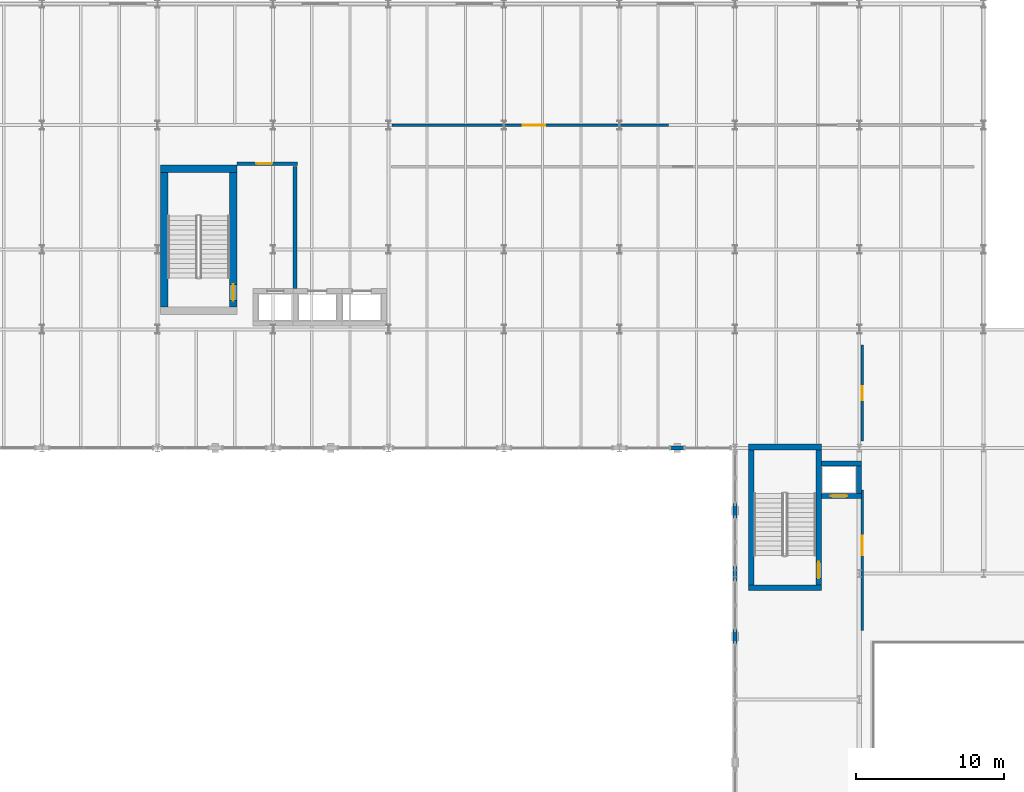
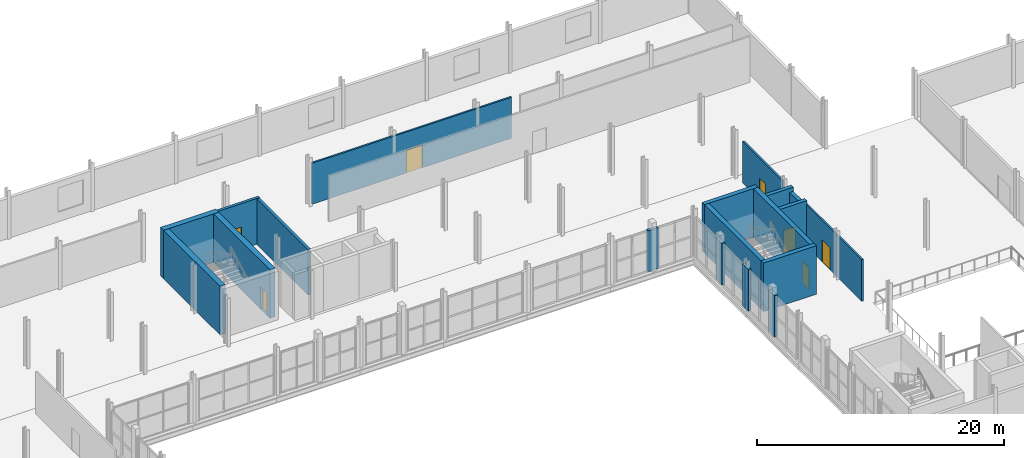
# One storey, part 52 of 63: 19 walls, 7 doors, 7 openings.
"""IFC4 building model written with IfcOpenShell, lengths in metres."""

from ifc_helpers import new_model, si_unit, direction, frame, frame_2d, origin, place, context, subcontext, project, spatial, rectangle, extrude, material, layer, layer_set, type_object, element, fill, save


model = new_model("IFC4")

# Units and contexts
model_context = context("Model", 3, precision=1e-05, world=origin(), true_north=direction((0.0, 1.0)))
body_context = subcontext(model_context, "Body", "Model", "MODEL_VIEW")
ifc_project = project(units=[si_unit("LENGTHUNIT", "METRE"), si_unit("AREAUNIT", "SQUARE_METRE"), si_unit("VOLUMEUNIT", "CUBIC_METRE"), si_unit("PLANEANGLEUNIT", "RADIAN"), si_unit("MASSUNIT", "GRAM", prefix="KILO")], contexts=[model_context])

# Site, building, storey
site_placement = place(None, origin())
site = spatial("IfcSite", under=ifc_project, at=site_placement, CompositionType="ELEMENT")
building_placement = place(site_placement, origin())
building = spatial("IfcBuilding", under=site, at=building_placement, Name="Sefraquen Railside Congress Hotel", CompositionType="ELEMENT")
storey_placement = place(building_placement, frame((0.0, 0.0, 11.39990234375)))
storey = spatial("IfcBuildingStorey", under=building, at=storey_placement, Name="L02", CompositionType="ELEMENT", Elevation=11.39990234375)

# Wall
ifc_material_1 = material(Name="Concrete C50/60", Category="concrete")
ifc_layer_1 = layer(ifc_material_1, 0.35009765625)
ifc_layer_set_1 = layer_set([ifc_layer_1], Name="Concrete C50/60")
wall_type_1 = type_object("IfcWallType", Name="TW-CW-350", PredefinedType="SHEAR", material=ifc_layer_set_1)
wall_1_placement = place(storey_placement, frame((109.06005859375, 86.945068359375, 0.0), z_axis=(0.0, 0.0, 1.0), x_axis=(1.0, 0.0, 0.0)))
element("IfcWall", 1, at=wall_1_placement, inside=storey, type_object=wall_type_1, Name="Lift PL-07 shaft wall N L02", PredefinedType="SHEAR", context=body_context, shape_type="SweptSolid", body=[
    extrude(rectangle(XDim=2.68994140625, YDim=0.35009765625, at=frame_2d((1.344970703125, 0.0))), origin(), (0.0, 0.0, 1.0), 4.52001953125),
])

# Wall, opening, door
wall_2_placement = place(storey_placement, frame((109.06005859375, 84.7548828125, 0.0), z_axis=(0.0, 0.0, 1.0), x_axis=(1.0, 0.0, 0.0)))
wall_2 = element("IfcWall", 2, at=wall_2_placement, inside=storey, type_object=wall_type_1, Name="Lift PL-07 shaft wall S L02", PredefinedType="SHEAR", context=body_context, shape_type="SweptSolid", body=[
    extrude(rectangle(XDim=2.68994140625, YDim=0.35009765625, at=frame_2d((1.344970703125, 0.0))), origin(), (0.0, 0.0, 1.0), 4.52001953125),
])
opening_1_placement = place(wall_2_placement, frame((0.6201171875, 0.0, 0.0)))
opening_1 = element("IfcOpeningElement", 3, at=opening_1_placement, cuts=wall_2, Name="Opening LD-01", PredefinedType="OPENING", context=body_context, shape_type="SweptSolid", body=[
    extrude(rectangle(XDim=1.10009765625, YDim=2.199951171875, at=frame_2d((0.550048828125, 1.10009765625))), frame((0.0, 0.18505859375, 0.0), z_axis=(0.0, -1.0, 0.0), x_axis=(1.0, 0.0, 0.0)), (0.0, 0.0, 1.0), 0.3701171875),
])
ifc_material_2 = material(Name="Brushed bronze stainless steel", Category="steel")
door_type_1 = type_object("IfcDoorType", Name="TD-LD-01", OperationType="NOTDEFINED", PredefinedType="DOOR", material=ifc_material_2)
door_1_placement = place(opening_1_placement, origin())
door_1 = element("IfcDoor", 4, at=door_1_placement, inside=storey, type_object=door_type_1, Name="Lift landing door PL-07 L02", OperationType="SLIDING_TO_LEFT", OverallHeight=2.199951171875, OverallWidth=1.10009765625, PredefinedType="DOOR", context=body_context, shape_type="SweptSolid", body=[
    extrude(rectangle(XDim=1.10009765625, YDim=2.199951171875, at=frame_2d((0.550048828125, 1.10009765625))), frame((0.0, 0.02490234375, 0.0), z_axis=(0.0, -1.0, 0.0), x_axis=(1.0, 0.0, 0.0)), (0.0, 0.0, 1.0), 0.050048828125),
])
fill(opening_1, door_1)

# Walls
wall_3_placement = place(storey_placement, frame((111.574951171875, 84.929931640625, 0.0), z_axis=(0.0, 0.0, 1.0), x_axis=(0.0, 1.0, 0.0)))
element("IfcWall", 5, at=wall_3_placement, inside=storey, type_object=wall_type_1, Name="Lift PL-07 shaft wall E L02", PredefinedType="SHEAR", context=body_context, shape_type="SweptSolid", body=[
    extrude(rectangle(XDim=1.840087890625, YDim=0.35009765625, at=frame_2d((0.919921875, 0.0))), origin(), (0.0, 0.0, 1.0), 4.110107421875),
])
ifc_layer_2 = layer(ifc_material_1, 0.39990234375)
ifc_layer_set_2 = layer_set([ifc_layer_2], Name="Concrete C50/60")
wall_type_2 = type_object("IfcWallType", Name="TW-CW-400", PredefinedType="SHEAR", material=ifc_layer_set_2)
for number, where, z_axis, x_axis, name in (
    (6, (104.10009765625, 88.06201171875, 0.0), (0.0, 0.0, 1.0), (1.0, 0.0, 0.0), "Core shear wall ST-M01 N L02"),
    (7, (104.10009765625, 78.550048828125, 0.0), (0.0, 0.0, 1.0), (1.0, 0.0, 0.0), "Core shear wall ST-M01 S L02"),
):
    element("IfcWall", number, at=place(storey_placement, frame(where, z_axis=z_axis, x_axis=x_axis)), inside=storey, type_object=wall_type_2, Name=name, PredefinedType="SHEAR", context=body_context, shape_type="SweptSolid", body=[
        extrude(rectangle(XDim=4.9599609375, YDim=0.39990234375, at=frame_2d((2.47998046875, 0.0))), origin(), (0.0, 0.0, 1.0), 4.800048828125),
    ])
wall_4_placement = place(storey_placement, frame((104.300048828125, 78.75, 0.0), z_axis=(0.0, 0.0, 1.0), x_axis=(0.0, 1.0, 0.0)))
element("IfcWall", 8, at=wall_4_placement, inside=storey, type_object=wall_type_2, Name="Core shear wall ST-M01 W L02", PredefinedType="SHEAR", context=body_context, shape_type="SweptSolid", body=[
    extrude(rectangle(XDim=9.112060546875, YDim=0.39990234375, at=frame_2d((4.55615234375, 0.0))), origin(), (0.0, 0.0, 1.0), 4.800048828125),
])

# Wall, opening, door
wall_5_placement = place(storey_placement, frame((108.860107421875, 78.75, 0.0), z_axis=(0.0, 0.0, 1.0), x_axis=(0.0, 1.0, 0.0)))
wall_5 = element("IfcWall", 9, at=wall_5_placement, inside=storey, type_object=wall_type_2, Name="Core shear wall ST-M01 E L02", PredefinedType="SHEAR", context=body_context, shape_type="SweptSolid", body=[
    extrude(rectangle(XDim=9.112060546875, YDim=0.39990234375, at=frame_2d((4.55615234375, 0.0))), origin(), (0.0, 0.0, 1.0), 4.800048828125),
])
opening_2_placement = place(wall_5_placement, frame((0.43994140625, 0.0, 0.0)))
opening_2 = element("IfcOpeningElement", 10, at=opening_2_placement, cuts=wall_5, Name="Opening FD-04", PredefinedType="OPENING", context=body_context, shape_type="SweptSolid", body=[
    extrude(rectangle(XDim=1.10009765625, YDim=2.199951171875, at=frame_2d((0.550048828125, 1.10009765625))), frame((0.0, 0.2099609375, 0.0), z_axis=(0.0, -1.0, 0.0), x_axis=(1.0, 0.0, 0.0)), (0.0, 0.0, 1.0), 0.419921875),
])
ifc_material_3 = material(Name="Fire-rated steel", Category="steel")
door_type_2 = type_object("IfcDoorType", Name="TD-FD-04", OperationType="NOTDEFINED", PredefinedType="DOOR", material=ifc_material_3)
door_2_placement = place(opening_2_placement, origin())
door_2 = element("IfcDoor", 11, at=door_2_placement, inside=storey, type_object=door_type_2, Name="Pressurized stair ST-M01 fire door L02", OperationType="SINGLE_SWING_RIGHT", OverallHeight=2.199951171875, OverallWidth=1.10009765625, PredefinedType="DOOR", context=body_context, shape_type="SweptSolid", body=[
    extrude(rectangle(XDim=1.10009765625, YDim=2.199951171875, at=frame_2d((0.550048828125, 1.10009765625))), frame((0.0, 0.02490234375, 0.0), z_axis=(0.0, -1.0, 0.0), x_axis=(1.0, 0.0, 0.0)), (0.0, 0.0, 1.0), 0.050048828125),
])
fill(opening_2, door_2)

# Walls
ifc_layer_3 = layer(ifc_material_1, 0.5)
ifc_layer_set_3 = layer_set([ifc_layer_3], Name="Concrete C50/60")
wall_type_3 = type_object("IfcWallType", Name="TW-CW-500", PredefinedType="SHEAR", material=ifc_layer_set_3)
wall_6_placement = place(storey_placement, frame((64.39990234375, 106.862060546875, 0.0), z_axis=(0.0, 0.0, 1.0), x_axis=(1.0, 0.0, 0.0)))
element("IfcWall", 12, at=wall_6_placement, inside=storey, type_object=wall_type_3, Name="Core shear wall ST-H03 N L02", PredefinedType="SHEAR", context=body_context, shape_type="SweptSolid", body=[
    extrude(rectangle(XDim=5.16015625, YDim=0.5, at=frame_2d((2.580078125, 0.0))), origin(), (0.0, 0.0, 1.0), 4.800048828125),
])
wall_7_placement = place(storey_placement, frame((64.64990234375, 97.5, 0.0), z_axis=(0.0, 0.0, 1.0), x_axis=(0.0, 1.0, 0.0)))
element("IfcWall", 13, at=wall_7_placement, inside=storey, type_object=wall_type_3, Name="Core shear wall ST-H03 W L02", PredefinedType="SHEAR", context=body_context, shape_type="SweptSolid", body=[
    extrude(rectangle(XDim=9.112060546875, YDim=0.5, at=frame_2d((4.55615234375, 0.0))), origin(), (0.0, 0.0, 1.0), 4.800048828125),
])

# Wall, opening, door
wall_8_placement = place(storey_placement, frame((69.31005859375, 97.5, 0.0), z_axis=(0.0, 0.0, 1.0), x_axis=(0.0, 1.0, 0.0)))
wall_8 = element("IfcWall", 14, at=wall_8_placement, inside=storey, type_object=wall_type_3, Name="Core shear wall ST-H03 E L02", PredefinedType="SHEAR", context=body_context, shape_type="SweptSolid", body=[
    extrude(rectangle(XDim=9.112060546875, YDim=0.5, at=frame_2d((4.55615234375, 0.0))), origin(), (0.0, 0.0, 1.0), 4.800048828125),
])
opening_3_placement = place(wall_8_placement, frame((0.43994140625, 0.0, 0.0)))
opening_3 = element("IfcOpeningElement", 15, at=opening_3_placement, cuts=wall_8, Name="Opening FD-04", PredefinedType="OPENING", context=body_context, shape_type="SweptSolid", body=[
    extrude(rectangle(XDim=1.10009765625, YDim=2.199951171875, at=frame_2d((0.550048828125, 1.10009765625))), frame((0.0, 0.260009765625, 0.0), z_axis=(0.0, -1.0, 0.0), x_axis=(1.0, 0.0, 0.0)), (0.0, 0.0, 1.0), 0.52001953125),
])
door_3_placement = place(opening_3_placement, origin())
door_3 = element("IfcDoor", 16, at=door_3_placement, inside=storey, type_object=door_type_2, Name="Pressurized stair ST-H03 fire door L02", OperationType="SINGLE_SWING_RIGHT", OverallHeight=2.199951171875, OverallWidth=1.10009765625, PredefinedType="DOOR", context=body_context, shape_type="SweptSolid", body=[
    extrude(rectangle(XDim=1.10009765625, YDim=2.199951171875, at=frame_2d((0.550048828125, 1.10009765625))), frame((0.0, 0.02490234375, 0.0), z_axis=(0.0, -1.0, 0.0), x_axis=(1.0, 0.0, 0.0)), (0.0, 0.0, 1.0), 0.050048828125),
])
fill(opening_3, door_3)

# Walls
ifc_material_4 = material(Name="Ochre Rabat calcarenite limestone and Concrete C40/50 backing", Category="masonry")
ifc_layer_4 = layer(ifc_material_4, 0.280029296875)
ifc_layer_set_4 = layer_set([ifc_layer_4], Name="Ochre Rabat calcarenite limestone and Concrete C40/50 backing")
wall_type_4 = type_object("IfcWallType", Name="TW-EW-280", PredefinedType="STANDARD", material=ifc_layer_set_4)
wall_9_placement = place(storey_placement, frame((98.820068359375, 88.0, 0.0), z_axis=(0.0, 0.0, 1.0), x_axis=(1.0, 0.0, 0.0)))
element("IfcWall", 17, at=wall_9_placement, inside=storey, type_object=wall_type_4, Name="Courtyard north gallery curtain wall L02-3 column pier closure 3", PredefinedType="STANDARD", context=body_context, shape_type="SweptSolid", body=[
    extrude(rectangle(XDim=0.9599609375, YDim=0.260009765625, at=frame_2d((0.47998046875, 0.0))), origin(), (0.0, 0.0, 1.0), 4.06005859375),
])
for number, where, z_axis, x_axis, name in (
    (18, (103.199951171875, 74.77001953125, 0.0), (0.0, 0.0, 1.0), (0.0, 1.0, 0.0), "Courtyard east gallery curtain wall L02 column pier closure 1"),
    (19, (103.199951171875, 79.02001953125, 0.0), (0.0, 0.0, 1.0), (0.0, 1.0, 0.0), "Courtyard east gallery curtain wall L02 column pier closure 2"),
    (20, (103.199951171875, 83.27001953125, 0.0), (0.0, 0.0, 1.0), (0.0, 1.0, 0.0), "Courtyard east gallery curtain wall L02 column pier closure 3"),
):
    element("IfcWall", number, at=place(storey_placement, frame(where, z_axis=z_axis, x_axis=x_axis)), inside=storey, type_object=wall_type_4, Name=name, PredefinedType="STANDARD", context=body_context, shape_type="SweptSolid", body=[
        extrude(rectangle(XDim=0.9599609375, YDim=0.260009765625, at=frame_2d((0.47998046875, 0.0))), origin(), (0.0, 0.0, 1.0), 4.110107421875),
    ])
ifc_material_5 = material(Name="Concrete C40/50", Category="concrete")
ifc_layer_5 = layer(ifc_material_5, 0.239990234375)
ifc_layer_set_5 = layer_set([ifc_layer_5], Name="Concrete C40/50")
wall_type_5 = type_object("IfcWallType", Name="TW-FW-240", PredefinedType="STANDARD", material=ifc_layer_set_5)
wall_10_placement = place(storey_placement, frame((73.47998046875, 98.780029296875, 0.0), z_axis=(0.0, 0.0, 1.0), x_axis=(0.0, 1.0, 0.0)))
element("IfcWall", 21, at=wall_10_placement, inside=storey, type_object=wall_type_5, Name="Firefighting Lift Lobby FFL-03 east fire wall L02", PredefinedType="STANDARD", context=body_context, shape_type="SweptSolid", body=[
    extrude(rectangle(XDim=8.239990234375, YDim=0.239990234375, at=frame_2d((4.1201171875, 0.0))), origin(), (0.0, 0.0, 1.0), 4.52001953125),
])

# Wall, opening, door
wall_11_placement = place(storey_placement, frame((69.56005859375, 107.199951171875, 0.0), z_axis=(0.0, 0.0, 1.0), x_axis=(1.0, 0.0, 0.0)))
wall_11 = element("IfcWall", 22, at=wall_11_placement, inside=storey, type_object=wall_type_5, Name="Firefighting Lift Lobby FFL-03 EI 120 separation wall L02", PredefinedType="STANDARD", context=body_context, shape_type="SweptSolid", body=[
    extrude(rectangle(XDim=4.099853515625, YDim=0.239990234375, at=frame_2d((2.0498046875, 0.0))), origin(), (0.0, 0.0, 1.0), 4.52001953125),
])
opening_4_placement = place(wall_11_placement, frame((1.300048828125, 0.0, 0.0)))
opening_4 = element("IfcOpeningElement", 23, at=opening_4_placement, cuts=wall_11, Name="Opening FD-04", PredefinedType="OPENING", context=body_context, shape_type="SweptSolid", body=[
    extrude(rectangle(XDim=1.10009765625, YDim=2.199951171875, at=frame_2d((0.550048828125, 1.10009765625))), frame((0.0, 0.1298828125, 0.0), z_axis=(0.0, -1.0, 0.0), x_axis=(1.0, 0.0, 0.0)), (0.0, 0.0, 1.0), 0.260009765625),
])
door_4_placement = place(opening_4_placement, origin())
door_4 = element("IfcDoor", 24, at=door_4_placement, inside=storey, type_object=door_type_2, Name="Firefighting Lift Lobby FFL-03 self-closing fire door L02", OperationType="SINGLE_SWING_RIGHT", OverallHeight=2.199951171875, OverallWidth=1.10009765625, PredefinedType="DOOR", context=body_context, shape_type="SweptSolid", body=[
    extrude(rectangle(XDim=1.10009765625, YDim=2.199951171875, at=frame_2d((0.550048828125, 1.10009765625))), frame((0.0, 0.02490234375, 0.0), z_axis=(0.0, -1.0, 0.0), x_axis=(1.0, 0.0, 0.0)), (0.0, 0.0, 1.0), 0.050048828125),
])
fill(opening_4, door_4)

ifc_material_6 = material(Name="Moisture-resistant gypsum board", Category="gypsum")
ifc_layer_6 = layer(ifc_material_6, 0.159912109375)
ifc_layer_set_6 = layer_set([ifc_layer_6], Name="Moisture-resistant gypsum board")
wall_type_6 = type_object("IfcWallType", Name="TW-PW-160", PredefinedType="PARTITIONING", material=ifc_layer_set_6)
wall_12_placement = place(storey_placement, frame((111.800048828125, 75.64990234375, 0.0), z_axis=(0.0, 0.0, 1.0), x_axis=(0.0, 1.0, 0.0)))
wall_12 = element("IfcWall", 25, at=wall_12_placement, inside=storey, type_object=wall_type_6, Name="Seminar Suite 05 enclosure wall", PredefinedType="PARTITIONING", context=body_context, shape_type="SweptSolid", body=[
    extrude(rectangle(XDim=9.5, YDim=0.159912109375, at=frame_2d((4.75, 0.0))), origin(), (0.0, 0.0, 1.0), 4.110107421875),
])
opening_5_placement = place(wall_12_placement, frame((5.10009765625, 0.0, 0.0)))
opening_5 = element("IfcOpeningElement", 26, at=opening_5_placement, cuts=wall_12, Name="Opening MD-02", PredefinedType="OPENING", context=body_context, shape_type="SweptSolid", body=[
    extrude(rectangle(XDim=1.300048828125, YDim=2.199951171875, at=frame_2d((0.64990234375, 1.10009765625))), frame((0.0, 0.08984375, 0.0), z_axis=(0.0, -1.0, 0.0), x_axis=(1.0, 0.0, 0.0)), (0.0, 0.0, 1.0), 0.179931640625),
])
ifc_material_7 = material(Name="Acoustic cedar veneer", Category="wood")
door_type_3 = type_object("IfcDoorType", Name="TD-MD-02", OperationType="NOTDEFINED", PredefinedType="DOOR", material=ifc_material_7)
door_5_placement = place(opening_5_placement, origin())
door_5 = element("IfcDoor", 27, at=door_5_placement, inside=storey, type_object=door_type_3, Name="Seminar Suite 05 entrance door", OperationType="SINGLE_SWING_RIGHT", OverallHeight=2.199951171875, OverallWidth=1.300048828125, PredefinedType="DOOR", context=body_context, shape_type="SweptSolid", body=[
    extrude(rectangle(XDim=1.300048828125, YDim=2.199951171875, at=frame_2d((0.64990234375, 1.10009765625))), frame((0.0, 0.02490234375, 0.0), z_axis=(0.0, -1.0, 0.0), x_axis=(1.0, 0.0, 0.0)), (0.0, 0.0, 1.0), 0.050048828125),
])
fill(opening_5, door_5)

wall_13_placement = place(storey_placement, frame((111.800048828125, 88.449951171875, 0.0), z_axis=(0.0, 0.0, 1.0), x_axis=(0.0, 1.0, 0.0)))
wall_13 = element("IfcWall", 28, at=wall_13_placement, inside=storey, type_object=wall_type_6, Name="Seminar Wing L02 Accessible WC enclosure wall", PredefinedType="PARTITIONING", context=body_context, shape_type="SweptSolid", body=[
    extrude(rectangle(XDim=6.5, YDim=0.159912109375, at=frame_2d((3.25, 0.0))), origin(), (0.0, 0.0, 1.0), 4.110107421875),
])
opening_6_placement = place(wall_13_placement, frame((2.780029296875, 0.0, 0.0)))
opening_6 = element("IfcOpeningElement", 29, at=opening_6_placement, cuts=wall_13, Name="Opening ID-01", PredefinedType="OPENING", context=body_context, shape_type="SweptSolid", body=[
    extrude(rectangle(XDim=0.93994140625, YDim=2.14990234375, at=frame_2d((0.469970703125, 1.074951171875))), frame((0.0, 0.08984375, 0.0), z_axis=(0.0, -1.0, 0.0), x_axis=(1.0, 0.0, 0.0)), (0.0, 0.0, 1.0), 0.179931640625),
])
ifc_material_8 = material(Name="Lacquered cedar joinery", Category="wood")
door_type_4 = type_object("IfcDoorType", Name="TD-ID-01", OperationType="NOTDEFINED", PredefinedType="DOOR", material=ifc_material_8)
door_6_placement = place(opening_6_placement, origin())
door_6 = element("IfcDoor", 30, at=door_6_placement, inside=storey, type_object=door_type_4, Name="Seminar Wing L02 Accessible WC entrance door", OperationType="SINGLE_SWING_LEFT", OverallHeight=2.14990234375, OverallWidth=0.93994140625, PredefinedType="DOOR", context=body_context, shape_type="SweptSolid", body=[
    extrude(rectangle(XDim=0.93994140625, YDim=2.14990234375, at=frame_2d((0.469970703125, 1.074951171875))), frame((0.0, 0.02490234375, 0.0), z_axis=(0.0, -1.0, 0.0), x_axis=(1.0, 0.0, 0.0)), (0.0, 0.0, 1.0), 0.050048828125),
])
fill(opening_6, door_6)

wall_14_placement = place(storey_placement, frame((80.050048828125, 109.800048828125, 0.0), z_axis=(0.0, 0.0, 1.0), x_axis=(1.0, 0.0, 0.0)))
wall_14 = element("IfcWall", 31, at=wall_14_placement, inside=storey, type_object=wall_type_6, Name="Executive Boardroom 01 enclosure wall", PredefinedType="PARTITIONING", context=body_context, shape_type="SweptSolid", body=[
    extrude(rectangle(XDim=18.64990234375, YDim=0.159912109375, at=frame_2d((9.324951171875, 0.0))), origin(), (0.0, 0.0, 1.0), 4.06005859375),
])
opening_7_placement = place(wall_14_placement, frame((8.824951171875, 0.0, 0.0)))
opening_7 = element("IfcOpeningElement", 32, at=opening_7_placement, cuts=wall_14, Name="Opening MD-01", PredefinedType="OPENING", context=body_context, shape_type="SweptSolid", body=[
    extrude(rectangle(XDim=1.5, YDim=2.25, at=frame_2d((0.75, 1.125))), frame((0.0, 0.08984375, 0.0), z_axis=(0.0, -1.0, 0.0), x_axis=(1.0, 0.0, 0.0)), (0.0, 0.0, 1.0), 0.179931640625),
])
door_type_5 = type_object("IfcDoorType", Name="TD-MD-01", OperationType="NOTDEFINED", PredefinedType="DOOR", material=ifc_material_7)
door_7_placement = place(opening_7_placement, origin())
door_7 = element("IfcDoor", 33, at=door_7_placement, inside=storey, type_object=door_type_5, Name="Executive Boardroom 01 entrance door", OperationType="SLIDING_TO_RIGHT", OverallHeight=2.25, OverallWidth=1.5, PredefinedType="DOOR", context=body_context, shape_type="SweptSolid", body=[
    extrude(rectangle(XDim=1.5, YDim=2.25, at=frame_2d((0.75, 1.125))), frame((0.0, 0.02490234375, 0.0), z_axis=(0.0, -1.0, 0.0), x_axis=(1.0, 0.0, 0.0)), (0.0, 0.0, 1.0), 0.050048828125),
])
fill(opening_7, door_7)

save(model, "model.ifc")
